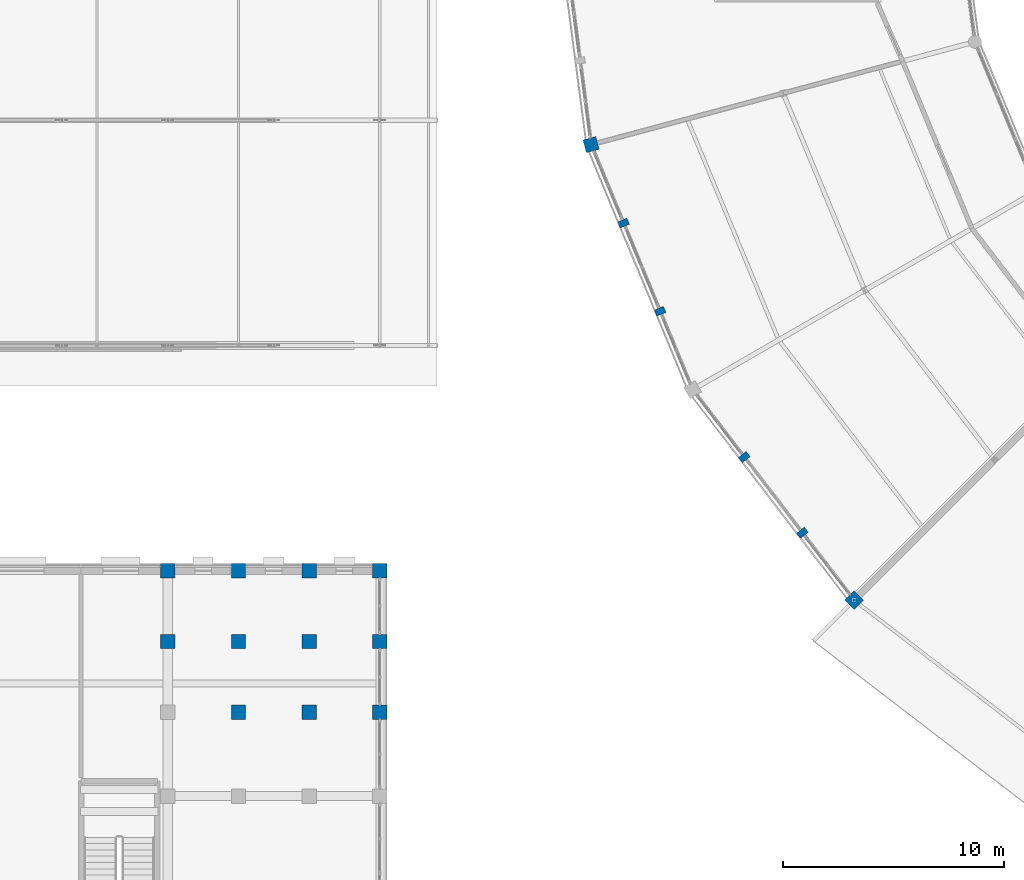
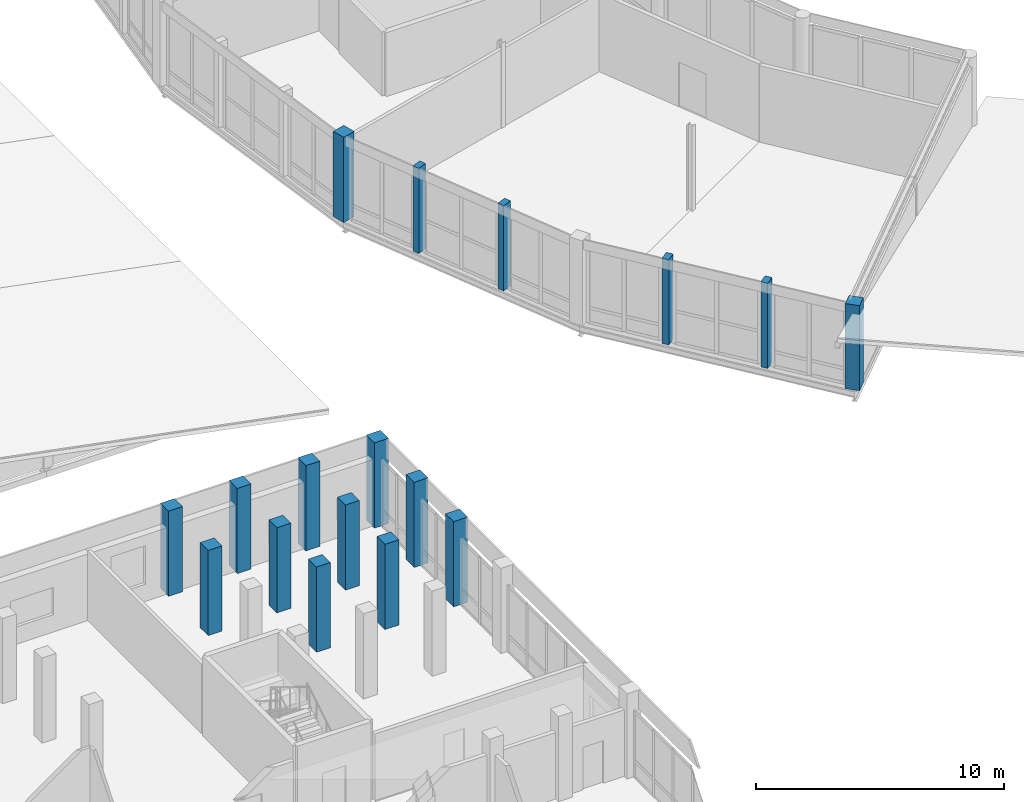
# One storey, part 3 of 200: 17 columns.
"""IFC4 building model written with IfcOpenShell, lengths in metres."""

from ifc_helpers import new_model, si_unit, direction, frame, origin, origin_2d, place, context, subcontext, project, spatial, rectangle, extrude, material, material_profile, profile_set, type_object, element, save


model = new_model("IFC4")

# Units and contexts
model_context = context("Model", 3, precision=1e-05, world=origin(), true_north=direction((0.0, 1.0)))
body_context = subcontext(model_context, "Body", "Model", "MODEL_VIEW")
ifc_project = project(units=[si_unit("LENGTHUNIT", "METRE"), si_unit("AREAUNIT", "SQUARE_METRE"), si_unit("VOLUMEUNIT", "CUBIC_METRE"), si_unit("PLANEANGLEUNIT", "RADIAN"), si_unit("MASSUNIT", "GRAM", prefix="KILO")], contexts=[model_context])

# Site, building, storey
site_placement = place(None, origin())
site = spatial("IfcSite", under=ifc_project, at=site_placement, CompositionType="ELEMENT")
building_placement = place(site_placement, origin())
building = spatial("IfcBuilding", under=site, at=building_placement, Name="Vondelvale Polytechnic", CompositionType="ELEMENT")
storey_placement = place(building_placement, frame((0.0, 0.0, 13.800048828125)))
storey = spatial("IfcBuildingStorey", under=building, at=storey_placement, Name="L03", CompositionType="ELEMENT", Elevation=13.800048828125)

# Columns
ifc_material_1 = material(Name="Glulam GL18 structural Tasmanian oak (fb = 42 MPa)", Category="wood")
ifc_material_profile_1 = material_profile(ifc_material_1, rectangle(XDim=0.300048828125, YDim=0.449951171875, at=origin_2d()), Name="GL-POST-300x450")
ifc_profile_set_1 = profile_set([ifc_material_profile_1], Name="Glulam GL18 structural Tasmanian oak (fb = 42 MPa)")
column_type_1 = type_object("IfcColumnType", Name="COL-GLULAM-300x450", PredefinedType="PILASTER", material=ifc_profile_set_1)
for number, where, z_axis, x_axis, name in (
    (1, (59.037841796875, 56.544189453125, 0.0), (0.0, 0.0, 1.0), (-0.382683432365, 0.923879532511, 0.0), "L03 ring outer glulam timber post C13-P1"),
    (2, (60.6923828125, 52.55029296875, 0.0), (0.0, 0.0, 1.0), (-0.382683432365, 0.923879532511, 0.0), "L03 ring outer glulam timber post C13-P2"),
    (3, (64.502197265625, 45.951416015625, 0.0), (0.0, 0.0, 1.0), (-0.608761429009, 0.793353340291, 0.0), "L03 ring outer glulam timber post C14-P1"),
    (4, (67.1337890625, 42.521728515625, 0.0), (0.0, 0.0, 1.0), (-0.608761429009, 0.793353340291, 0.0), "L03 ring outer glulam timber post C14-P2"),
):
    element("IfcColumn", number, at=place(storey_placement, frame(where, z_axis=z_axis, x_axis=x_axis)), inside=storey, type_object=column_type_1, Name=name, PredefinedType="PILASTER", context=body_context, shape_type="SweptSolid", body=[
        extrude(rectangle(XDim=0.300048828125, YDim=0.449951171875, at=origin_2d()), origin(), (0.0, 0.0, 1.0), 4.199951171875),
    ])
ifc_material_2 = material(Name="Concrete N50 (f'c = 50 MPa)", Category="concrete")
ifc_material_profile_2 = material_profile(ifc_material_2, rectangle(XDim=0.60009765625, YDim=0.60009765625, at=origin_2d()), Name="RC-COL-600x600")
ifc_profile_set_2 = profile_set([ifc_material_profile_2], Name="Concrete N50 (f'c = 50 MPa)")
column_type_2 = type_object("IfcColumnType", Name="COL-RC600", PredefinedType="COLUMN", material=ifc_profile_set_2)
for number, where, z_axis, x_axis, name in (
    (5, (57.5673828125, 60.09423828125, 0.0), (0.0, 0.0, 1.0), (0.965925826289, 0.258819045103, 0.0), "L03 courtyard ring column S13-RO"),
    (6, (69.47314453125, 39.47314453125, 0.0), (0.0, 0.0, 1.0), (0.707106781187, 0.707106781187, 0.0), "L03 courtyard ring column S15-RO"),
):
    element("IfcColumn", number, at=place(storey_placement, frame(where, z_axis=z_axis, x_axis=x_axis)), inside=storey, type_object=column_type_2, Name=name, PredefinedType="COLUMN", context=body_context, shape_type="SweptSolid", body=[
        extrude(rectangle(XDim=0.60009765625, YDim=0.60009765625, at=origin_2d()), origin(), (0.0, 0.0, 1.0), 4.199951171875),
    ])
ifc_material_profile_3 = material_profile(ifc_material_2, rectangle(XDim=0.64990234375, YDim=0.64990234375, at=origin_2d()), Name="RC-COL-650x650")
ifc_profile_set_3 = profile_set([ifc_material_profile_3], Name="Concrete N50 (f'c = 50 MPa)")
column_type_3 = type_object("IfcColumnType", Name="COL-RC650", PredefinedType="COLUMN", material=ifc_profile_set_3)
for number, where, z_axis, x_axis, name in (
    (7, (38.39990234375, 37.60009765625, 0.0), (0.0, 0.0, 1.0), (1.0, 0.0, 0.0), "L03 corner wing column (38.4,37.6)"),
    (8, (38.39990234375, 40.800048828125, 0.0), (0.0, 0.0, 1.0), (1.0, 0.0, 0.0), "L03 corner wing column (38.4,40.8)"),
    (9, (41.60009765625, 34.39990234375, 0.0), (0.0, 0.0, 1.0), (1.0, 0.0, 0.0), "L03 corner wing column (41.6,34.4)"),
    (10, (41.60009765625, 37.60009765625, 0.0), (0.0, 0.0, 1.0), (1.0, 0.0, 0.0), "L03 corner wing column (41.6,37.6)"),
    (11, (41.60009765625, 40.800048828125, 0.0), (0.0, 0.0, 1.0), (1.0, 0.0, 0.0), "L03 corner wing column (41.6,40.8)"),
    (12, (44.800048828125, 34.39990234375, 0.0), (0.0, 0.0, 1.0), (1.0, 0.0, 0.0), "L03 corner wing column (44.8,34.4)"),
    (13, (44.800048828125, 37.60009765625, 0.0), (0.0, 0.0, 1.0), (1.0, 0.0, 0.0), "L03 corner wing column (44.8,37.6)"),
    (14, (44.800048828125, 40.800048828125, 0.0), (0.0, 0.0, 1.0), (1.0, 0.0, 0.0), "L03 corner wing column (44.8,40.8)"),
    (15, (48.0, 34.39990234375, 0.0), (0.0, 0.0, 1.0), (1.0, 0.0, 0.0), "L03 corner wing column (48.0,34.4)"),
    (16, (48.0, 37.60009765625, 0.0), (0.0, 0.0, 1.0), (1.0, 0.0, 0.0), "L03 corner wing column (48.0,37.6)"),
    (17, (48.0, 40.800048828125, 0.0), (0.0, 0.0, 1.0), (1.0, 0.0, 0.0), "L03 corner wing column (48.0,40.8)"),
):
    element("IfcColumn", number, at=place(storey_placement, frame(where, z_axis=z_axis, x_axis=x_axis)), inside=storey, type_object=column_type_3, Name=name, PredefinedType="COLUMN", context=body_context, shape_type="SweptSolid", body=[
        extrude(rectangle(XDim=0.64990234375, YDim=0.64990234375, at=origin_2d()), origin(), (0.0, 0.0, 1.0), 4.199951171875),
    ])

save(model, "model.ifc")
